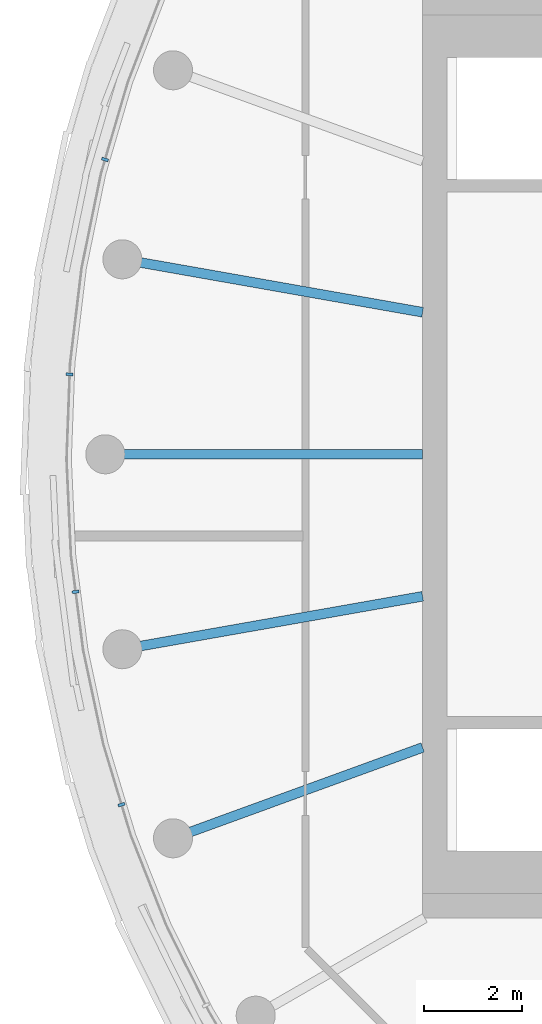
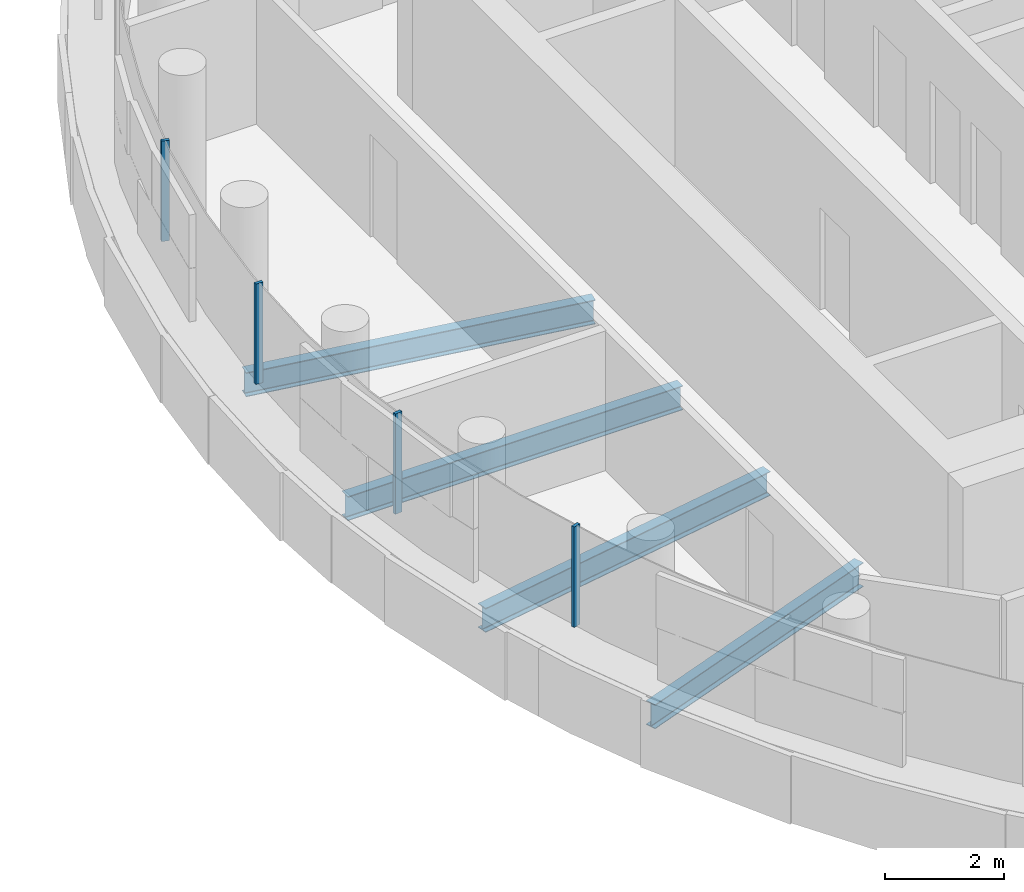
# One storey, part 4 of 21: 4 beams, 4 members, 1 element without a shape of its own.
"""IFC4 building model written with IfcOpenShell, lengths in metres."""

from ifc_helpers import new_model, si_unit, direction, frame, origin, origin_2d, place, context, subcontext, project, spatial, rectangle, i_section, extrude, material, layer, layer_set, material_profile, profile_set, type_object, element, aggregate, save


model = new_model("IFC4")

# Units and contexts
model_context = context("Model", 3, precision=1e-05, world=origin(), true_north=direction((0.0, 1.0)))
body_context = subcontext(model_context, "Body", "Model", "MODEL_VIEW")
ifc_project = project(units=[si_unit("LENGTHUNIT", "METRE"), si_unit("AREAUNIT", "SQUARE_METRE"), si_unit("VOLUMEUNIT", "CUBIC_METRE"), si_unit("PLANEANGLEUNIT", "RADIAN"), si_unit("MASSUNIT", "GRAM", prefix="KILO")], contexts=[model_context])

# Site, building, storey
site_placement = place(None, origin())
site = spatial("IfcSite", under=ifc_project, at=site_placement, CompositionType="ELEMENT")
building_placement = place(site_placement, origin())
building = spatial("IfcBuilding", under=site, at=building_placement, Name="Tamarind Cross Interchange Tower", CompositionType="ELEMENT")
storey_placement = place(building_placement, frame((0.0, 0.0, 267.60009765625)))
storey = spatial("IfcBuildingStorey", under=building, at=storey_placement, Name="L68", CompositionType="ELEMENT", Elevation=267.60009765625)

# Beams
ifc_material_1 = material(Name="Steel Q355B", Category="steel")
ifc_material_profile_1 = material_profile(ifc_material_1, i_section(OverallWidth=0.198974609375, OverallDepth=0.49609375, WebThickness=0.009033203125, FlangeThickness=0.013916015625, FilletRadius=0.012939453125, at=origin_2d()), Name="HN 496x199x9x14")
ifc_profile_set_1 = profile_set([ifc_material_profile_1], Name="Steel Q355B")
beam_type = type_object("IfcBeamType", Name="Composite beam HN 496x199x9x14 Q355B", PredefinedType="BEAM", material=ifc_profile_set_1)
beam_1_placement = place(storey_placement, frame((-22.650634765625, 3.993896484375, -0.38818359375), z_axis=(0.984809127561, -0.173640382036, 0.0), x_axis=(0.173640382036, 0.984809127561, 0.0)))
element("IfcBeam", 1, at=beam_1_placement, inside=storey, type_object=beam_type, Name="Beam HH17", PredefinedType="BEAM", context=body_context, shape_type="SweptSolid", body=[
    extrude(i_section(OverallWidth=0.198974609375, OverallDepth=0.49609375, WebThickness=0.009033203125, FlangeThickness=0.013916015625, FilletRadius=0.012939453125, at=origin_2d()), origin(), (0.0, 0.0, 1.0), 6.24560546875),
])
beam_2_placement = place(storey_placement, frame((-23.0, 0.0, -0.38818359375), z_axis=(1.0, 0.0, 0.0), x_axis=(0.0, 1.0, 0.0)))
element("IfcBeam", 2, at=beam_2_placement, inside=storey, type_object=beam_type, Name="Beam HH18", PredefinedType="BEAM", context=body_context, shape_type="SweptSolid", body=[
    extrude(i_section(OverallWidth=0.198974609375, OverallDepth=0.49609375, WebThickness=0.009033203125, FlangeThickness=0.013916015625, FilletRadius=0.012939453125, at=origin_2d()), origin(), (0.0, 0.0, 1.0), 6.5),
])
beam_3_placement = place(storey_placement, frame((-22.650634765625, -3.993896484375, -0.38818359375), z_axis=(0.984809127561, 0.173640382036, 0.0), x_axis=(-0.173640382036, 0.984809127561, 0.0)))
element("IfcBeam", 3, at=beam_3_placement, inside=storey, type_object=beam_type, Name="Beam HH19", PredefinedType="BEAM", context=body_context, shape_type="SweptSolid", body=[
    extrude(i_section(OverallWidth=0.198974609375, OverallDepth=0.49609375, WebThickness=0.009033203125, FlangeThickness=0.013916015625, FilletRadius=0.012939453125, at=origin_2d()), origin(), (0.0, 0.0, 1.0), 6.24560546875),
])
beam_4_placement = place(storey_placement, frame((-21.613037109375, -7.866455078125, -0.38818359375), z_axis=(0.939701685589, 0.341995236956, 0.0), x_axis=(-0.341995236956, 0.939701685589, 0.0)))
element("IfcBeam", 4, at=beam_4_placement, inside=storey, type_object=beam_type, Name="Beam HH20", PredefinedType="BEAM", context=body_context, shape_type="SweptSolid", body=[
    extrude(i_section(OverallWidth=0.198974609375, OverallDepth=0.49609375, WebThickness=0.009033203125, FlangeThickness=0.013916015625, FilletRadius=0.012939453125, at=origin_2d()), origin(), (0.0, 0.0, 1.0), 5.441162109375),
])

# Curtain wall, members
ifc_material_2 = material(Name="Aluminium 6063-T6", Category="aluminium")
ifc_layer = layer(ifc_material_2, 0.139892578125)
ifc_layer_set = layer_set([ifc_layer], Name="Aluminium 6063-T6")
curtain_wall_type = type_object("IfcCurtainWallType", Name="Hotel curtain wall, 4.5 m bays", PredefinedType="NOTDEFINED", material=ifc_layer_set)
curtain_wall_placement = place(storey_placement, origin())
curtain_wall = element("IfcCurtainWall", 5, at=curtain_wall_placement, inside=storey, type_object=curtain_wall_type, Name="CWS-L68-01", PredefinedType="NOTDEFINED")
ifc_material_profile_2 = material_profile(ifc_material_2, rectangle(XDim=0.06005859375, YDim=0.139892578125, at=origin_2d()), Name="Mullion CW2")
ifc_profile_set_2 = profile_set([ifc_material_profile_2], Name="Aluminium 6063-T6")
member_type = type_object("IfcMemberType", Name="Mullion CW2", PredefinedType="MULLION", material=ifc_profile_set_2)
member_1_placement = place(storey_placement, frame((-23.005859375, 6.03857421875, 1.39990234375), z_axis=(0.0, 0.0, 1.0), x_axis=(-0.281208920763, -0.95964657186, 0.0)))
member_1 = element("IfcMember", 6, at=member_1_placement, type_object=member_type, Name="CWM-L68-01-04", PredefinedType="MULLION", context=body_context, shape_type="SweptSolid", body=[
    extrude(rectangle(XDim=0.06005859375, YDim=0.139892578125, at=origin_2d()), origin(), (0.0, 0.0, 1.0), 2.06005859375),
])
member_2_placement = place(storey_placement, frame((-23.73095703125, 1.638671875, 1.39990234375), z_axis=(0.0, 0.0, 1.0), x_axis=(-0.037024696392, -0.999314350871, 0.0)))
member_2 = element("IfcMember", 7, at=member_2_placement, type_object=member_type, Name="CWM-L68-01-05", PredefinedType="MULLION", context=body_context, shape_type="SweptSolid", body=[
    extrude(rectangle(XDim=0.06005859375, YDim=0.139892578125, at=origin_2d()), origin(), (0.0, 0.0, 1.0), 2.06005859375),
])
member_3_placement = place(storey_placement, frame((-23.60888671875, -2.81884765625, 1.39990234375), z_axis=(0.0, 0.0, 1.0), x_axis=(0.127962008342, -0.991779070368, 0.0)))
member_3 = element("IfcMember", 8, at=member_3_placement, type_object=member_type, Name="CWM-L68-01-06", PredefinedType="MULLION", context=body_context, shape_type="SweptSolid", body=[
    extrude(rectangle(XDim=0.06005859375, YDim=0.139892578125, at=origin_2d()), origin(), (0.0, 0.0, 1.0), 2.06005859375),
])
member_4_placement = place(storey_placement, frame((-22.66845703125, -7.17724609375, 1.39990234375), z_axis=(0.0, 0.0, 1.0), x_axis=(0.289458243079, -0.957190642199, 0.0)))
member_4 = element("IfcMember", 9, at=member_4_placement, type_object=member_type, Name="CWM-L68-01-07", PredefinedType="MULLION", context=body_context, shape_type="SweptSolid", body=[
    extrude(rectangle(XDim=0.06005859375, YDim=0.139892578125, at=origin_2d()), origin(), (0.0, 0.0, 1.0), 2.06005859375),
])
aggregate(curtain_wall, [member_1, member_2, member_3, member_4])

save(model, "model.ifc")
